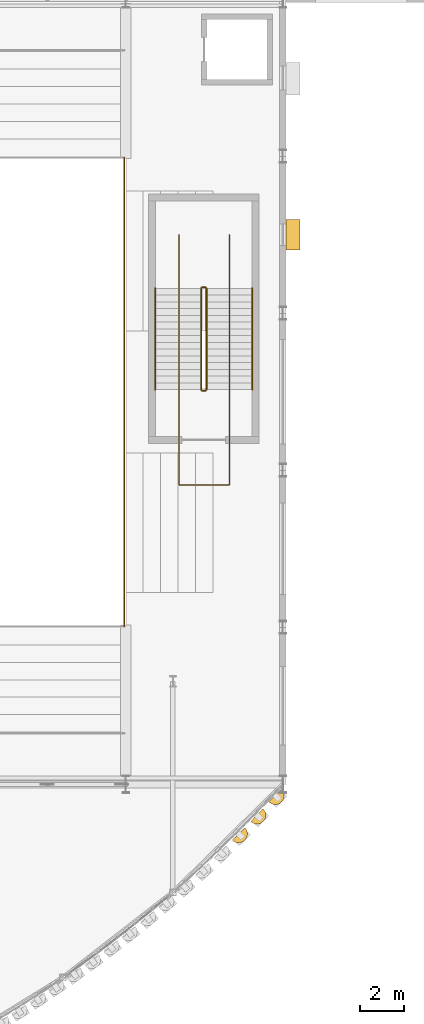
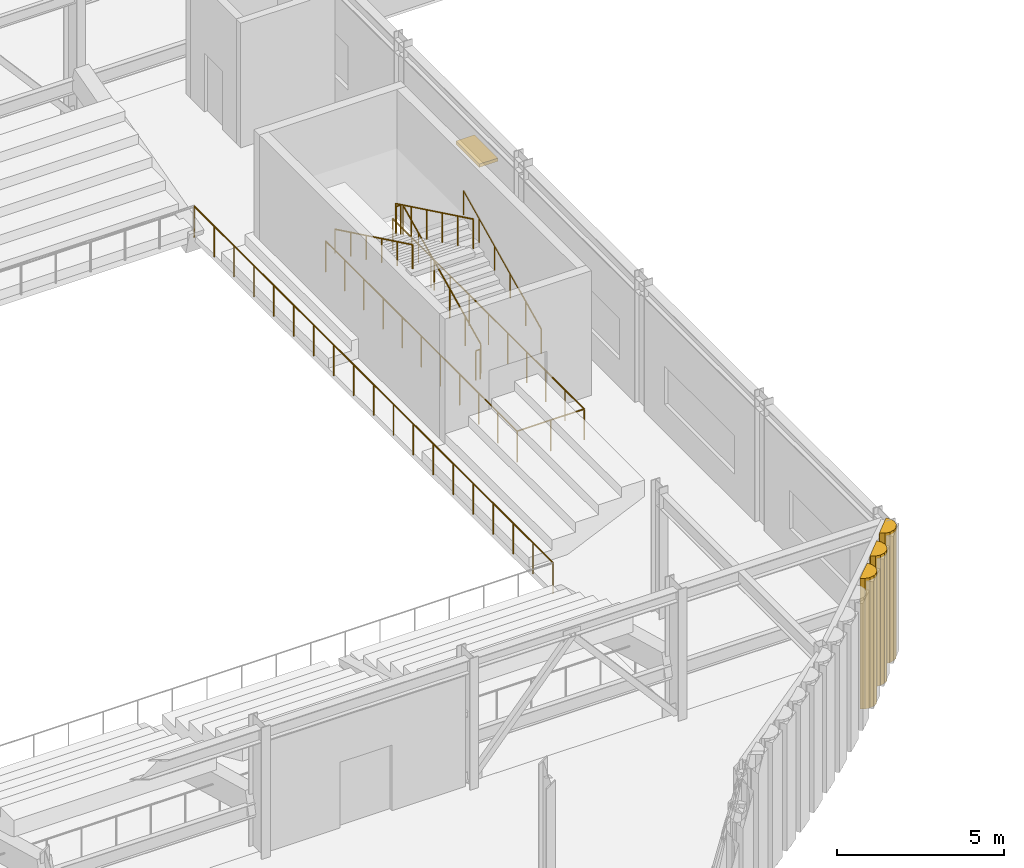
# One storey, part 119 of 121: 8 railings, 3 coverings, 1 shading device.
"""IFC4 building model written with IfcOpenShell, lengths in metres."""

from ifc_helpers import new_model, si_unit, direction, frame, origin, origin_2d, place, context, subcontext, project, spatial, polyline, rectangle, circle, outline, extrude, material, layer, layer_set, type_object, element, save


model = new_model("IFC4")

# Units and contexts
model_context = context("Model", 3, precision=1e-05, world=origin(), true_north=direction((0.0, 1.0)))
body_context = subcontext(model_context, "Body", "Model", "MODEL_VIEW")
ifc_project = project(units=[si_unit("LENGTHUNIT", "METRE"), si_unit("AREAUNIT", "SQUARE_METRE"), si_unit("VOLUMEUNIT", "CUBIC_METRE"), si_unit("PLANEANGLEUNIT", "RADIAN"), si_unit("MASSUNIT", "GRAM", prefix="KILO")], contexts=[model_context])

# Site, building, storey
site_placement = place(None, origin())
site = spatial("IfcSite", under=ifc_project, at=site_placement, CompositionType="ELEMENT")
building_placement = place(site_placement, origin())
building = spatial("IfcBuilding", under=site, at=building_placement, Name="Solvadek Multi-Sports Hall", CompositionType="ELEMENT")
storey_placement = place(building_placement, frame((0.0, 0.0, 4.800048828125)))
storey = spatial("IfcBuildingStorey", under=building, at=storey_placement, Name="L01", CompositionType="ELEMENT", Elevation=4.800048828125)

# Coverings
ifc_material_1 = material(Name="Perforated champagne-bronze anodised aluminium", Category="aluminium")
ifc_layer = layer(ifc_material_1, 0.06494140625, Name="Perforated champagne-bronze anodised aluminium")
ifc_layer_set = layer_set([ifc_layer], Name="Perforated champagne-bronze anodised aluminium")
covering_type = type_object("IfcCoveringType", Name="ENV-COV-FLUTED", PredefinedType="CLADDING", material=ifc_layer_set)
covering_1_placement = place(storey_placement, frame((0.0, 0.0, 0.010009765625)))
element("IfcCovering", 1, at=covering_1_placement, inside=storey, type_object=covering_type, Name="L01 Perforated Bronze Half-Cylinder Fluted Shell #222", PredefinedType="CLADDING", context=body_context, shape_type="SweptSolid", body=[
    extrude(outline(polyline([(135.06298828125, 4.0205078125), (135.150390625, 3.88671875), (135.179931640625, 3.729248046875), (135.14697265625, 3.57275390625), (135.056640625, 3.44091796875), (134.922607421875, 3.353515625), (134.765380859375, 3.323974609375), (134.60888671875, 3.35693359375), (134.476806640625, 3.447265625), (134.523193359375, 3.49267578125), (134.447509765625, 3.416748046875), (134.421142578125, 3.388916015625), (134.447509765625, 3.413818359375), (134.523193359375, 3.4873046875), (134.636474609375, 3.598388671875), (134.77001953125, 3.72998046875), (134.9033203125, 3.8623046875), (135.0166015625, 3.97509765625), (135.06298828125, 4.0205078125)])), origin(), (0.0, 0.0, 1.0), 4.77001953125),
])
covering_2_placement = place(storey_placement, frame((0.0, 0.0, 0.010009765625)))
element("IfcCovering", 2, at=covering_2_placement, inside=storey, type_object=covering_type, Name="L01 Perforated Bronze Half-Cylinder Fluted Shell #225", PredefinedType="CLADDING", context=body_context, shape_type="SweptSolid", body=[
    extrude(outline(polyline([(135.893798828125, 4.89208984375), (135.98681640625, 4.76171875), (136.022705078125, 4.605712890625), (135.99609375, 4.447998046875), (135.911376953125, 4.3125), (135.781005859375, 4.219482421875), (135.625, 4.18359375), (135.46728515625, 4.210205078125), (135.331787109375, 4.294921875), (135.376220703125, 4.34228515625), (135.3037109375, 4.27099609375), (135.2783203125, 4.248779296875), (135.3037109375, 4.27880859375), (135.376220703125, 4.35693359375), (135.48486328125, 4.47119140625), (135.61279296875, 4.60400390625), (135.74072265625, 4.735107421875), (135.849365234375, 4.8447265625), (135.893798828125, 4.89208984375)])), origin(), (0.0, 0.0, 1.0), 4.77001953125),
])
covering_3_placement = place(storey_placement, frame((0.0, 0.0, 0.010009765625)))
element("IfcCovering", 3, at=covering_3_placement, inside=storey, type_object=covering_type, Name="L01 Perforated Bronze Half-Cylinder Fluted Shell #226", PredefinedType="CLADDING", context=body_context, shape_type="SweptSolid", body=[
    extrude(outline(polyline([(136.73388671875, 5.783935546875), (136.82666015625, 5.65380859375), (136.862548828125, 5.497802734375), (136.836181640625, 5.340087890625), (136.751220703125, 5.204345703125), (136.62109375, 5.111572265625), (136.465087890625, 5.07568359375), (136.307373046875, 5.10205078125), (136.171630859375, 5.18701171875), (136.21630859375, 5.234375), (136.143798828125, 5.162841796875), (136.118408203125, 5.140625), (136.143798828125, 5.1708984375), (136.21630859375, 5.248779296875), (136.32470703125, 5.363037109375), (136.452880859375, 5.495849609375), (136.580810546875, 5.626953125), (136.689208984375, 5.736572265625), (136.73388671875, 5.783935546875)])), origin(), (0.0, 0.0, 1.0), 4.77001953125),
])

# Shading device
shading_device_type = type_object("IfcShadingDeviceType", Name="ENV-SHD-CHAJJA2", PredefinedType="JALOUSIE", material=ifc_material_1)
shading_device_placement = place(storey_placement, frame((137.26953125, 31.199951171875, 2.519775390625), z_axis=(0.0, 0.0, 1.0), x_axis=(0.0, 1.0, 0.0)))
element("IfcShadingDevice", 4, at=shading_device_placement, inside=storey, type_object=shading_device_type, Name="L01 Chajja Solar Shading Hood #61", PredefinedType="JALOUSIE", context=body_context, shape_type="SweptSolid", body=[
    extrude(rectangle(XDim=1.39990234375, YDim=0.639892578125, at=origin_2d()), origin(), (0.0, 0.0, 1.0), 0.1201171875),
])

# Railings
ifc_material_2 = material(Name="Steel E250 (250 MPa)", Category="steel")
railing_type_1 = type_object("IfcRailingType", Name="INT-RAL-GRD115", PredefinedType="BALUSTRADE", material=ifc_material_2)
railing_1_placement = place(storey_placement, frame((133.300048828125, 24.10009765625, 0.14990234375)))
element("IfcRailing", 5, at=railing_1_placement, inside=storey, type_object=railing_type_1, Name="L01 ST-05 stair guard 1", PredefinedType="BALUSTRADE", context=body_context, shape_type="SweptSolid", body=[
    extrude(circle(Radius=0.02392578125, at=origin_2d()), frame((0.0, 0.0, 1.076171875), z_axis=(0.0, 0.900155664878, 0.435568340204), x_axis=(-1.0, 0.0, 0.0)), (0.0, 0.0, 1.0), 5.165771484375),
    extrude(circle(Radius=0.02099609375, at=origin_2d()), origin(), (0.0, 0.0, 1.0), 1.052001953125),
    extrude(circle(Radius=0.02099609375, at=origin_2d()), frame((0.0, 0.929931640625, 0.449951171875)), (0.0, 0.0, 1.0), 1.052001953125),
    extrude(circle(Radius=0.02099609375, at=origin_2d()), frame((0.0, 1.85986328125, 0.89990234375)), (0.0, 0.0, 1.0), 1.052001953125),
    extrude(circle(Radius=0.02099609375, at=origin_2d()), frame((0.0, 2.7900390625, 1.35009765625)), (0.0, 0.0, 1.0), 1.052001953125),
    extrude(circle(Radius=0.02099609375, at=origin_2d()), frame((0.0, 3.719970703125, 1.800048828125)), (0.0, 0.0, 1.0), 1.052001953125),
    extrude(circle(Radius=0.02099609375, at=origin_2d()), frame((0.0, 4.64990234375, 2.25)), (0.0, 0.0, 1.0), 1.052001953125),
])
railing_2_placement = place(storey_placement, frame((133.25, 28.800048828125, 2.39990234375)))
element("IfcRailing", 6, at=railing_2_placement, inside=storey, type_object=railing_type_1, Name="L01 ST-05 stair guard 2", PredefinedType="BALUSTRADE", context=body_context, shape_type="SweptSolid", body=[
    extrude(circle(Radius=0.02392578125, at=origin_2d()), frame((0.0, 0.0, 1.076171875), z_axis=(-1.0, 0.0, 0.0), x_axis=(0.0, -1.0, 0.0)), (0.0, 0.0, 1.0), 0.14990234375),
    extrude(circle(Radius=0.02099609375, at=origin_2d()), origin(), (0.0, 0.0, 1.0), 1.052001953125),
    extrude(circle(Radius=0.02099609375, at=origin_2d()), frame((-0.14990234375, 0.0, 0.0)), (0.0, 0.0, 1.0), 1.052001953125),
])
railing_3_placement = place(storey_placement, frame((133.050048828125, 28.75, 2.550048828125)))
element("IfcRailing", 7, at=railing_3_placement, inside=storey, type_object=railing_type_1, Name="L01 ST-05 stair guard 3", PredefinedType="BALUSTRADE", context=body_context, shape_type="SweptSolid", body=[
    extrude(circle(Radius=0.02392578125, at=origin_2d()), frame((0.0, 0.0, 1.076171875), z_axis=(0.0, -0.900155664878, 0.435568340204), x_axis=(1.0, 0.0, 0.0)), (0.0, 0.0, 1.0), 5.165771484375),
    extrude(circle(Radius=0.02099609375, at=origin_2d()), origin(), (0.0, 0.0, 1.0), 1.052001953125),
    extrude(circle(Radius=0.02099609375, at=origin_2d()), frame((0.0, -0.929931640625, 0.449951171875)), (0.0, 0.0, 1.0), 1.052001953125),
    extrude(circle(Radius=0.02099609375, at=origin_2d()), frame((0.0, -1.85986328125, 0.89990234375)), (0.0, 0.0, 1.0), 1.052001953125),
    extrude(circle(Radius=0.02099609375, at=origin_2d()), frame((0.0, -2.7900390625, 1.35009765625)), (0.0, 0.0, 1.0), 1.052001953125),
    extrude(circle(Radius=0.02099609375, at=origin_2d()), frame((0.0, -3.719970703125, 1.800048828125)), (0.0, 0.0, 1.0), 1.052001953125),
    extrude(circle(Radius=0.02099609375, at=origin_2d()), frame((0.0, -4.64990234375, 2.25)), (0.0, 0.0, 1.0), 1.052001953125),
])
railing_4_placement = place(storey_placement, frame((133.25, 24.050048828125, 0.0)))
element("IfcRailing", 8, at=railing_4_placement, inside=storey, type_object=railing_type_1, Name="L01 ST-05 stair guard 4", PredefinedType="BALUSTRADE", context=body_context, shape_type="SweptSolid", body=[
    extrude(circle(Radius=0.02392578125, at=origin_2d()), frame((0.0, 0.0, 1.076171875), z_axis=(-1.0, 0.0, 0.0), x_axis=(0.0, -1.0, 0.0)), (0.0, 0.0, 1.0), 0.14990234375),
    extrude(circle(Radius=0.02099609375, at=origin_2d()), origin(), (0.0, 0.0, 1.0), 1.052001953125),
    extrude(circle(Radius=0.02099609375, at=origin_2d()), frame((-0.14990234375, 0.0, 0.0)), (0.0, 0.0, 1.0), 1.052001953125),
])
railing_5_placement = place(storey_placement, frame((132.0400390625, 31.199951171875, 0.0)))
element("IfcRailing", 9, at=railing_5_placement, inside=storey, type_object=railing_type_1, Name="L01 Void Edge Balustrade Guard #28", PredefinedType="BALUSTRADE", context=body_context, shape_type="SweptSolid", body=[
    extrude(circle(Radius=0.02392578125, at=origin_2d()), frame((0.0, 0.0, 1.1259765625), z_axis=(0.0, -1.0, 0.0), x_axis=(1.0, 0.0, 0.0)), (0.0, 0.0, 1.0), 11.4599609375),
    extrude(circle(Radius=0.02392578125, at=origin_2d()), frame((0.0, -11.4599609375, 1.1259765625), z_axis=(1.0, 0.0, 0.0), x_axis=(0.0, 1.0, 0.0)), (0.0, 0.0, 1.0), 2.320068359375),
    extrude(circle(Radius=0.02392578125, at=origin_2d()), frame((2.320068359375, -11.4599609375, 1.1259765625), z_axis=(0.0, 1.0, 0.0), x_axis=(-1.0, 0.0, 0.0)), (0.0, 0.0, 1.0), 11.4599609375),
    extrude(circle(Radius=0.02099609375, at=origin_2d()), origin(), (0.0, 0.0, 1.0), 1.101806640625),
    extrude(circle(Radius=0.02099609375, at=origin_2d()), frame((0.0, -1.14599609375, 0.0)), (0.0, 0.0, 1.0), 1.101806640625),
    extrude(circle(Radius=0.02099609375, at=origin_2d()), frame((0.0, -2.2919921875, 0.0)), (0.0, 0.0, 1.0), 1.101806640625),
    extrude(circle(Radius=0.02099609375, at=origin_2d()), frame((0.0, -3.43798828125, 0.0)), (0.0, 0.0, 1.0), 1.101806640625),
    extrude(circle(Radius=0.02099609375, at=origin_2d()), frame((0.0, -4.583984375, 0.0)), (0.0, 0.0, 1.0), 1.101806640625),
    extrude(circle(Radius=0.02099609375, at=origin_2d()), frame((0.0, -5.72998046875, 0.0)), (0.0, 0.0, 1.0), 1.101806640625),
    extrude(circle(Radius=0.02099609375, at=origin_2d()), frame((0.0, -6.8759765625, 0.0)), (0.0, 0.0, 1.0), 1.101806640625),
    extrude(circle(Radius=0.02099609375, at=origin_2d()), frame((0.0, -8.02197265625, 0.0)), (0.0, 0.0, 1.0), 1.101806640625),
    extrude(circle(Radius=0.02099609375, at=origin_2d()), frame((0.0, -9.16796875, 0.0)), (0.0, 0.0, 1.0), 1.101806640625),
    extrude(circle(Radius=0.02099609375, at=origin_2d()), frame((0.0, -10.31396484375, 0.0)), (0.0, 0.0, 1.0), 1.101806640625),
    extrude(circle(Radius=0.02099609375, at=origin_2d()), frame((0.0, -11.4599609375, 0.0)), (0.0, 0.0, 1.0), 1.101806640625),
    extrude(circle(Radius=0.02099609375, at=origin_2d()), frame((1.16015625, -11.4599609375, 0.0)), (0.0, 0.0, 1.0), 1.101806640625),
    extrude(circle(Radius=0.02099609375, at=origin_2d()), frame((2.320068359375, -11.4599609375, 0.0)), (0.0, 0.0, 1.0), 1.101806640625),
    extrude(circle(Radius=0.02099609375, at=origin_2d()), frame((2.320068359375, -10.31396484375, 0.0)), (0.0, 0.0, 1.0), 1.101806640625),
    extrude(circle(Radius=0.02099609375, at=origin_2d()), frame((2.320068359375, -9.16796875, 0.0)), (0.0, 0.0, 1.0), 1.101806640625),
    extrude(circle(Radius=0.02099609375, at=origin_2d()), frame((2.320068359375, -8.02197265625, 0.0)), (0.0, 0.0, 1.0), 1.101806640625),
    extrude(circle(Radius=0.02099609375, at=origin_2d()), frame((2.320068359375, -6.8759765625, 0.0)), (0.0, 0.0, 1.0), 1.101806640625),
    extrude(circle(Radius=0.02099609375, at=origin_2d()), frame((2.320068359375, -5.72998046875, 0.0)), (0.0, 0.0, 1.0), 1.101806640625),
    extrude(circle(Radius=0.02099609375, at=origin_2d()), frame((2.320068359375, -4.583984375, 0.0)), (0.0, 0.0, 1.0), 1.101806640625),
    extrude(circle(Radius=0.02099609375, at=origin_2d()), frame((2.320068359375, -3.43798828125, 0.0)), (0.0, 0.0, 1.0), 1.101806640625),
    extrude(circle(Radius=0.02099609375, at=origin_2d()), frame((2.320068359375, -2.2919921875, 0.0)), (0.0, 0.0, 1.0), 1.101806640625),
    extrude(circle(Radius=0.02099609375, at=origin_2d()), frame((2.320068359375, -1.14599609375, 0.0)), (0.0, 0.0, 1.0), 1.101806640625),
    extrude(circle(Radius=0.02099609375, at=origin_2d()), frame((2.320068359375, 0.0, 0.0)), (0.0, 0.0, 1.0), 1.101806640625),
])
railing_6_placement = place(storey_placement, frame((129.5400390625, 13.260009765625, 0.0)))
element("IfcRailing", 10, at=railing_6_placement, inside=storey, type_object=railing_type_1, Name="L01 Void Edge Balustrade Guard #42", PredefinedType="BALUSTRADE", context=body_context, shape_type="SweptSolid", body=[
    extrude(circle(Radius=0.02392578125, at=origin_2d()), frame((0.0, 0.0, 1.1259765625), z_axis=(0.0, 1.0, 0.0), x_axis=(-1.0, 0.0, 0.0)), (0.0, 0.0, 1.0), 21.47998046875),
    extrude(circle(Radius=0.02099609375, at=origin_2d()), origin(), (0.0, 0.0, 1.0), 1.101806640625),
    extrude(circle(Radius=0.02099609375, at=origin_2d()), frame((0.0, 1.193359375, 0.0)), (0.0, 0.0, 1.0), 1.101806640625),
    extrude(circle(Radius=0.02099609375, at=origin_2d()), frame((0.0, 2.38671875, 0.0)), (0.0, 0.0, 1.0), 1.101806640625),
    extrude(circle(Radius=0.02099609375, at=origin_2d()), frame((0.0, 3.580078125, 0.0)), (0.0, 0.0, 1.0), 1.101806640625),
    extrude(circle(Radius=0.02099609375, at=origin_2d()), frame((0.0, 4.7734375, 0.0)), (0.0, 0.0, 1.0), 1.101806640625),
    extrude(circle(Radius=0.02099609375, at=origin_2d()), frame((0.0, 5.966552734375, 0.0)), (0.0, 0.0, 1.0), 1.101806640625),
    extrude(circle(Radius=0.02099609375, at=origin_2d()), frame((0.0, 7.159912109375, 0.0)), (0.0, 0.0, 1.0), 1.101806640625),
    extrude(circle(Radius=0.02099609375, at=origin_2d()), frame((0.0, 8.353271484375, 0.0)), (0.0, 0.0, 1.0), 1.101806640625),
    extrude(circle(Radius=0.02099609375, at=origin_2d()), frame((0.0, 9.546630859375, 0.0)), (0.0, 0.0, 1.0), 1.101806640625),
    extrude(circle(Radius=0.02099609375, at=origin_2d()), frame((0.0, 10.739990234375, 0.0)), (0.0, 0.0, 1.0), 1.101806640625),
    extrude(circle(Radius=0.02099609375, at=origin_2d()), frame((0.0, 11.933349609375, 0.0)), (0.0, 0.0, 1.0), 1.101806640625),
    extrude(circle(Radius=0.02099609375, at=origin_2d()), frame((0.0, 13.126708984375, 0.0)), (0.0, 0.0, 1.0), 1.101806640625),
    extrude(circle(Radius=0.02099609375, at=origin_2d()), frame((0.0, 14.320068359375, 0.0)), (0.0, 0.0, 1.0), 1.101806640625),
    extrude(circle(Radius=0.02099609375, at=origin_2d()), frame((0.0, 15.513427734375, 0.0)), (0.0, 0.0, 1.0), 1.101806640625),
    extrude(circle(Radius=0.02099609375, at=origin_2d()), frame((0.0, 16.70654296875, 0.0)), (0.0, 0.0, 1.0), 1.101806640625),
    extrude(circle(Radius=0.02099609375, at=origin_2d()), frame((0.0, 17.89990234375, 0.0)), (0.0, 0.0, 1.0), 1.101806640625),
    extrude(circle(Radius=0.02099609375, at=origin_2d()), frame((0.0, 19.09326171875, 0.0)), (0.0, 0.0, 1.0), 1.101806640625),
    extrude(circle(Radius=0.02099609375, at=origin_2d()), frame((0.0, 20.28662109375, 0.0)), (0.0, 0.0, 1.0), 1.101806640625),
    extrude(circle(Radius=0.02099609375, at=origin_2d()), frame((0.0, 21.47998046875, 0.0)), (0.0, 0.0, 1.0), 1.101806640625),
])
railing_type_2 = type_object("IfcRailingType", Name="INT-RAL-HND090", PredefinedType="HANDRAIL", material=ifc_material_2)
railing_7_placement = place(storey_placement, frame((135.39990234375, 24.10009765625, 0.14990234375)))
element("IfcRailing", 11, at=railing_7_placement, inside=storey, type_object=railing_type_2, Name="L01 ST-05 stair handrail 1", PredefinedType="HANDRAIL", context=body_context, shape_type="SweptSolid", body=[
    extrude(circle(Radius=0.02392578125, at=origin_2d()), frame((0.0, 0.0, 0.8759765625), z_axis=(0.0, 0.900155664878, 0.435568340204), x_axis=(-1.0, 0.0, 0.0)), (0.0, 0.0, 1.0), 5.165771484375),
    extrude(circle(Radius=0.02099609375, at=origin_2d()), origin(), (0.0, 0.0, 1.0), 0.851806640625),
    extrude(circle(Radius=0.02099609375, at=origin_2d()), frame((0.0, 0.929931640625, 0.449951171875)), (0.0, 0.0, 1.0), 0.851806640625),
    extrude(circle(Radius=0.02099609375, at=origin_2d()), frame((0.0, 1.85986328125, 0.89990234375)), (0.0, 0.0, 1.0), 0.851806640625),
    extrude(circle(Radius=0.02099609375, at=origin_2d()), frame((0.0, 2.7900390625, 1.35009765625)), (0.0, 0.0, 1.0), 0.851806640625),
    extrude(circle(Radius=0.02099609375, at=origin_2d()), frame((0.0, 3.719970703125, 1.800048828125)), (0.0, 0.0, 1.0), 0.851806640625),
    extrude(circle(Radius=0.02099609375, at=origin_2d()), frame((0.0, 4.64990234375, 2.25)), (0.0, 0.0, 1.0), 0.851806640625),
])
railing_8_placement = place(storey_placement, frame((130.949951171875, 28.75, 2.550048828125)))
element("IfcRailing", 12, at=railing_8_placement, inside=storey, type_object=railing_type_2, Name="L01 ST-05 stair handrail 2", PredefinedType="HANDRAIL", context=body_context, shape_type="SweptSolid", body=[
    extrude(circle(Radius=0.02392578125, at=origin_2d()), frame((0.0, 0.0, 0.8759765625), z_axis=(0.0, -0.900155664878, 0.435568340204), x_axis=(1.0, 0.0, 0.0)), (0.0, 0.0, 1.0), 5.165771484375),
    extrude(circle(Radius=0.02099609375, at=origin_2d()), origin(), (0.0, 0.0, 1.0), 0.851806640625),
    extrude(circle(Radius=0.02099609375, at=origin_2d()), frame((0.0, -0.929931640625, 0.449951171875)), (0.0, 0.0, 1.0), 0.851806640625),
    extrude(circle(Radius=0.02099609375, at=origin_2d()), frame((0.0, -1.85986328125, 0.89990234375)), (0.0, 0.0, 1.0), 0.851806640625),
    extrude(circle(Radius=0.02099609375, at=origin_2d()), frame((0.0, -2.7900390625, 1.35009765625)), (0.0, 0.0, 1.0), 0.851806640625),
    extrude(circle(Radius=0.02099609375, at=origin_2d()), frame((0.0, -3.719970703125, 1.800048828125)), (0.0, 0.0, 1.0), 0.851806640625),
    extrude(circle(Radius=0.02099609375, at=origin_2d()), frame((0.0, -4.64990234375, 2.25)), (0.0, 0.0, 1.0), 0.851806640625),
])

save(model, "model.ifc")
